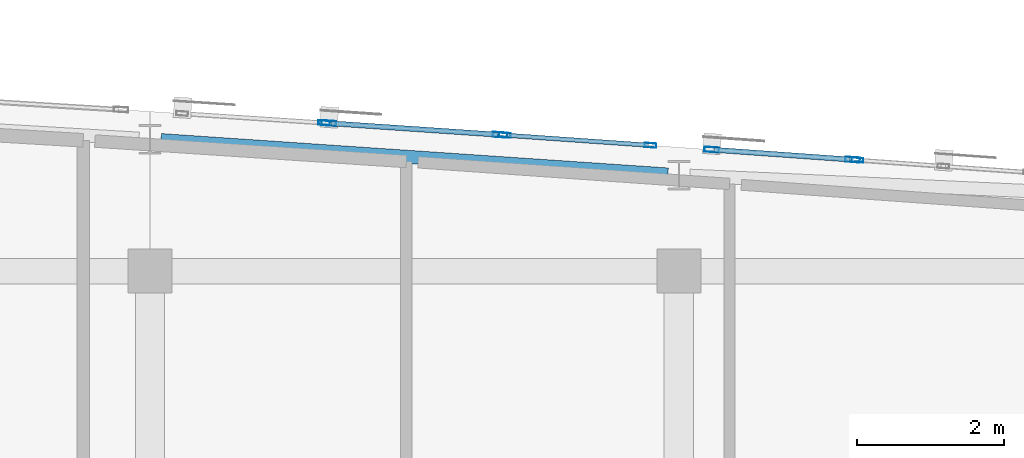
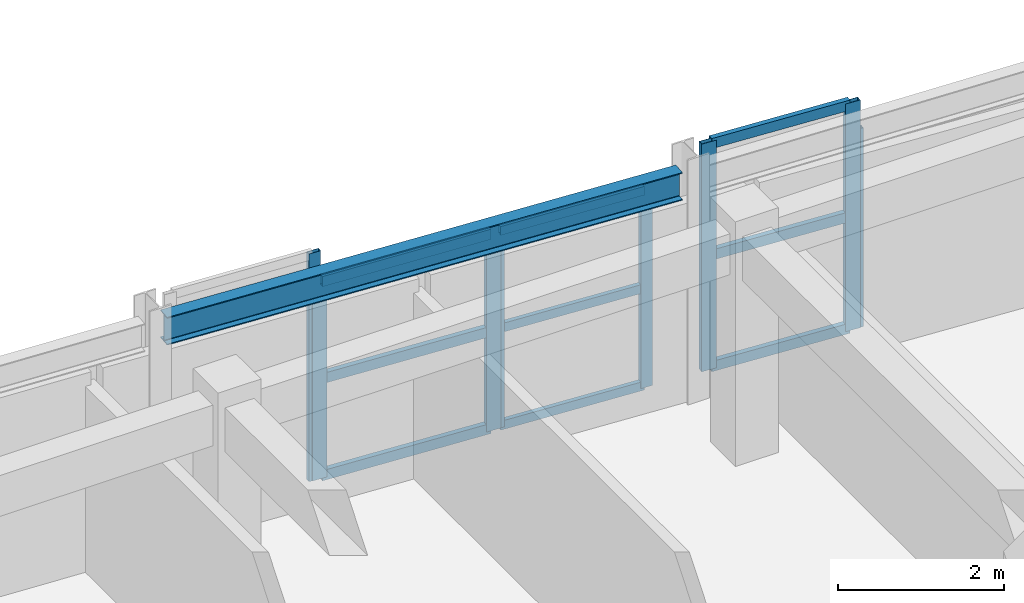
# One storey, part 24 of 48: 17 members, 1 beam, 5 elements without a shape of their own.
"""IFC4 building model written with IfcOpenShell, lengths in metres."""

from ifc_helpers import new_model, si_unit, direction, frame, origin, origin_2d, place, context, subcontext, project, spatial, hollow_rectangle, i_section, extrude, material, layer, layer_set, material_profile, profile_set, type_object, element, aggregate, save


model = new_model("IFC4")

# Units and contexts
model_context = context("Model", 3, precision=1e-05, world=origin(), true_north=direction((0.0, 1.0)))
body_context = subcontext(model_context, "Body", "Model", "MODEL_VIEW")
ifc_project = project(units=[si_unit("LENGTHUNIT", "METRE"), si_unit("AREAUNIT", "SQUARE_METRE"), si_unit("VOLUMEUNIT", "CUBIC_METRE"), si_unit("PLANEANGLEUNIT", "RADIAN"), si_unit("MASSUNIT", "GRAM", prefix="KILO")], contexts=[model_context])

# Site, building, storey
site_placement = place(None, origin())
site = spatial("IfcSite", under=ifc_project, at=site_placement, CompositionType="ELEMENT")
building_placement = place(site_placement, origin())
building = spatial("IfcBuilding", under=site, at=building_placement, Name="Carrowvane Square Congress Hotel", CompositionType="ELEMENT")
storey_placement = place(building_placement, frame((0.0, 0.0, 26.39990234375)))
storey = spatial("IfcBuildingStorey", under=building, at=storey_placement, Name="L06", CompositionType="ELEMENT", Elevation=26.39990234375)

# Beam
ifc_material_1 = material(Name="Steel S355", Category="steel")
ifc_material_profile_1 = material_profile(ifc_material_1, i_section(OverallWidth=0.1787109375, OverallDepth=0.409423828125, WebThickness=0.0087890625, FlangeThickness=0.014404296875, FilletRadius=0.01025390625, at=origin_2d()), Name="UKB 406x178x67")
ifc_profile_set_1 = profile_set([ifc_material_profile_1], Name="Steel S355")
beam_type = type_object("IfcBeamType", Name="BM-ST-UKB406", PredefinedType="BEAM", material=ifc_profile_set_1)
beam_placement = place(storey_placement, frame((126.94970703125, 115.18408203125, 3.1455078125), z_axis=(0.997707965639, -0.067666943928, 0.0), x_axis=(0.067666943928, 0.997707965639, 0.0)))
element("IfcBeam", 1, at=beam_placement, inside=storey, type_object=beam_type, Name="L07 curved north spandrel", PredefinedType="BEAM", context=body_context, shape_type="SweptSolid", body=[
    extrude(i_section(OverallWidth=0.1787109375, OverallDepth=0.409423828125, WebThickness=0.0087890625, FlangeThickness=0.014404296875, FilletRadius=0.01025390625, at=origin_2d()), origin(), (0.0, 0.0, 1.0), 6.91650390625),
])

# Curtain wall, member
ifc_material_2 = material(Name="Anodised aluminium", Category="aluminium")
ifc_layer_1 = layer(ifc_material_2, 0.18603515625)
ifc_layer_set_1 = layer_set([ifc_layer_1], Name="Anodised aluminium")
curtain_wall_type_1 = type_object("IfcCurtainWallType", Name="CW-SYS-3", PredefinedType="NOTDEFINED", material=ifc_layer_set_1)
curtain_wall_1_placement = place(storey_placement, origin())
curtain_wall_1 = element("IfcCurtainWall", 2, at=curtain_wall_1_placement, inside=storey, type_object=curtain_wall_type_1, Name="L06 unitised curtain wall 394", PredefinedType="NOTDEFINED")
ifc_material_3 = material(Name="Anodised aluminium", Category="aluminium")
ifc_material_profile_2 = material_profile(ifc_material_3, hollow_rectangle(XDim=0.06005859375, YDim=0.159912109375, WallThickness=0.00390625, at=origin_2d()), Name="CW-ML 60x160x4")
ifc_profile_set_2 = profile_set([ifc_material_profile_2], Name="Anodised aluminium")
member_type_1 = type_object("IfcMemberType", Name="CW-MUL-1", PredefinedType="MULLION", material=ifc_profile_set_2)
member_1_placement = place(storey_placement, frame((129.170166015625, 115.4189453125, 0.0), z_axis=(0.0, 0.0, 1.0), x_axis=(0.065413941589, 0.9978582145, 0.0)))
member_1 = element("IfcMember", 3, at=member_1_placement, type_object=member_type_1, Name="CW-3 mullion 2", PredefinedType="MULLION", context=body_context, shape_type="SweptSolid", body=[
    extrude(hollow_rectangle(XDim=0.06005859375, YDim=0.159912109375, WallThickness=0.00390625, at=origin_2d()), origin(), (0.0, 0.0, 1.0), 3.35009765625),
])
aggregate(curtain_wall_1, [member_1])

# Curtain wall, members
ifc_material_4 = material(Name="Anodised aluminium", Category="aluminium")
ifc_layer_2 = layer(ifc_material_4, 0.2099609375)
ifc_layer_set_2 = layer_set([ifc_layer_2], Name="Anodised aluminium")
curtain_wall_type_2 = type_object("IfcCurtainWallType", Name="CW-SYS-5", PredefinedType="NOTDEFINED", material=ifc_layer_set_2)
curtain_wall_2_placement = place(storey_placement, origin())
curtain_wall_2 = element("IfcCurtainWall", 4, at=curtain_wall_2_placement, inside=storey, type_object=curtain_wall_type_2, Name="L06 unitised curtain wall 396", PredefinedType="NOTDEFINED")
member_2_placement = place(storey_placement, frame((131.6298828125, 115.251708984375, 0.0), z_axis=(0.0, 0.0, 1.0), x_axis=(0.069726879118, 0.997566119277, 0.0)))
member_2 = element("IfcMember", 5, at=member_2_placement, type_object=member_type_1, Name="CW-5 mullion 1", PredefinedType="MULLION", context=body_context, shape_type="SweptSolid", body=[
    extrude(hollow_rectangle(XDim=0.06005859375, YDim=0.159912109375, WallThickness=0.00390625, at=origin_2d()), origin(), (0.0, 0.0, 1.0), 2.92578125),
])
member_3_placement = place(storey_placement, frame((133.61279296875, 115.113037109375, 0.0), z_axis=(0.0, 0.0, 1.0), x_axis=(0.069726879118, 0.997566119277, 0.0)))
member_3 = element("IfcMember", 6, at=member_3_placement, type_object=member_type_1, Name="CW-5 mullion 2", PredefinedType="MULLION", context=body_context, shape_type="SweptSolid", body=[
    extrude(hollow_rectangle(XDim=0.06005859375, YDim=0.159912109375, WallThickness=0.00390625, at=origin_2d()), origin(), (0.0, 0.0, 1.0), 2.92578125),
])

# Curtain wall, member
ifc_material_5 = material(Name="Anodised aluminium", Category="aluminium")
ifc_layer_3 = layer(ifc_material_5, 0.23388671875)
ifc_layer_set_3 = layer_set([ifc_layer_3], Name="Anodised aluminium")
curtain_wall_type_3 = type_object("IfcCurtainWallType", Name="CW-SYS-7", PredefinedType="NOTDEFINED", material=ifc_layer_set_3)
curtain_wall_3_placement = place(storey_placement, origin())
curtain_wall_3 = element("IfcCurtainWall", 7, at=curtain_wall_3_placement, inside=storey, type_object=curtain_wall_type_3, Name="L06 unitised curtain wall 398", PredefinedType="NOTDEFINED")
member_4_placement = place(storey_placement, frame((136.429931640625, 114.9130859375, 0.0), z_axis=(0.0, 0.0, 1.0), x_axis=(0.071531759512, 0.997438322595, 0.0)))
member_4 = element("IfcMember", 8, at=member_4_placement, type_object=member_type_1, Name="CW-7 mullion 1", PredefinedType="MULLION", context=body_context, shape_type="SweptSolid", body=[
    extrude(hollow_rectangle(XDim=0.06005859375, YDim=0.159912109375, WallThickness=0.00390625, at=origin_2d()), origin(), (0.0, 0.0, 1.0), 2.92578125),
])
aggregate(curtain_wall_3, [member_4])

# Curtain wall, members
ifc_material_6 = material(Name="Anodised aluminium", Category="aluminium")
ifc_layer_4 = layer(ifc_material_6, 0.197998046875)
ifc_layer_set_4 = layer_set([ifc_layer_4], Name="Anodised aluminium")
curtain_wall_type_4 = type_object("IfcCurtainWallType", Name="CW-SYS-4", PredefinedType="NOTDEFINED", material=ifc_layer_set_4)
curtain_wall_4_placement = place(storey_placement, origin())
curtain_wall_4 = element("IfcCurtainWall", 9, at=curtain_wall_4_placement, inside=storey, type_object=curtain_wall_type_4, Name="L06 unitised curtain wall 395", PredefinedType="NOTDEFINED")
ifc_material_7 = material(Name="Anodised aluminium", Category="aluminium")
ifc_material_profile_3 = material_profile(ifc_material_7, hollow_rectangle(XDim=0.070068359375, YDim=0.199951171875, WallThickness=0.0048828125, at=origin_2d()), Name="CW-ML 70x200x5")
ifc_profile_set_3 = profile_set([ifc_material_profile_3], Name="Anodised aluminium")
member_type_2 = type_object("IfcMemberType", Name="CW-MUL-2", PredefinedType="MULLION", material=ifc_profile_set_3)
member_5_placement = place(storey_placement, frame((129.23486328125, 115.41455078125, 0.0), z_axis=(0.0, 0.0, 1.0), x_axis=(0.067869562107, 0.99769420292, 0.0)))
member_5 = element("IfcMember", 10, at=member_5_placement, type_object=member_type_2, Name="CW-4 mullion 1", PredefinedType="MULLION", context=body_context, shape_type="SweptSolid", body=[
    extrude(hollow_rectangle(XDim=0.070068359375, YDim=0.199951171875, WallThickness=0.0048828125, at=origin_2d()), origin(), (0.0, 0.0, 1.0), 2.92578125),
])
member_6_placement = place(storey_placement, frame((131.56494140625, 115.256103515625, 0.0), z_axis=(0.0, 0.0, 1.0), x_axis=(0.067869562107, 0.99769420292, 0.0)))
member_6 = element("IfcMember", 11, at=member_6_placement, type_object=member_type_2, Name="CW-4 mullion 2", PredefinedType="MULLION", context=body_context, shape_type="SweptSolid", body=[
    extrude(hollow_rectangle(XDim=0.070068359375, YDim=0.199951171875, WallThickness=0.0048828125, at=origin_2d()), origin(), (0.0, 0.0, 1.0), 2.92578125),
])

ifc_material_8 = material(Name="Anodised aluminium", Category="aluminium")
ifc_layer_5 = layer(ifc_material_8, 0.221923828125)
ifc_layer_set_5 = layer_set([ifc_layer_5], Name="Anodised aluminium")
curtain_wall_type_5 = type_object("IfcCurtainWallType", Name="CW-SYS-6", PredefinedType="NOTDEFINED", material=ifc_layer_set_5)
curtain_wall_5_placement = place(storey_placement, origin())
curtain_wall_5 = element("IfcCurtainWall", 12, at=curtain_wall_5_placement, inside=storey, type_object=curtain_wall_type_5, Name="L06 unitised curtain wall 397", PredefinedType="NOTDEFINED")
member_7_placement = place(storey_placement, frame((134.445556640625, 115.05419921875, 0.0), z_axis=(0.0, 0.0, 1.0), x_axis=(0.070959862453, 0.997479171673, 0.0)))
member_7 = element("IfcMember", 13, at=member_7_placement, type_object=member_type_2, Name="CW-6 mullion 1", PredefinedType="MULLION", context=body_context, shape_type="SweptSolid", body=[
    extrude(hollow_rectangle(XDim=0.070068359375, YDim=0.199951171875, WallThickness=0.0048828125, at=origin_2d()), origin(), (0.0, 0.0, 1.0), 3.35009765625),
])
member_8_placement = place(storey_placement, frame((136.365234375, 114.917724609375, 0.0), z_axis=(0.0, 0.0, 1.0), x_axis=(0.070959862453, 0.997479171673, 0.0)))
member_8 = element("IfcMember", 14, at=member_8_placement, type_object=member_type_2, Name="CW-6 mullion 2", PredefinedType="MULLION", context=body_context, shape_type="SweptSolid", body=[
    extrude(hollow_rectangle(XDim=0.070068359375, YDim=0.199951171875, WallThickness=0.0048828125, at=origin_2d()), origin(), (0.0, 0.0, 1.0), 3.35009765625),
])

# Member
ifc_material_9 = material(Name="Anodised aluminium", Category="aluminium")
ifc_material_profile_4 = material_profile(ifc_material_9, hollow_rectangle(XDim=0.06005859375, YDim=0.1298828125, WallThickness=0.00390625, at=origin_2d()), Name="CW-TR 60x130x4")
ifc_profile_set_4 = profile_set([ifc_material_profile_4], Name="Anodised aluminium")
member_type_3 = type_object("IfcMemberType", Name="CW-TRN-1", PredefinedType="USERDEFINED", material=ifc_profile_set_4)
member_9_placement = place(storey_placement, frame((131.659912109375, 115.24951171875, 0.030029296875), z_axis=(0.997570599543, -0.069662751365, 0.0), x_axis=(0.069662751365, 0.997570599543, 0.0)))
member_9 = element("IfcMember", 15, at=member_9_placement, type_object=member_type_3, Name="CW-5 transom 1.1", ObjectType="TRANSOM", PredefinedType="USERDEFINED", context=body_context, shape_type="SweptSolid", body=[
    extrude(hollow_rectangle(XDim=0.06005859375, YDim=0.1298828125, WallThickness=0.00390625, at=origin_2d()), origin(), (0.0, 0.0, 1.0), 1.927490234375),
])

member_10_placement = place(storey_placement, frame((131.659912109375, 115.24951171875, 1.462890625), z_axis=(0.997570599543, -0.069662751365, 0.0), x_axis=(0.069662751365, 0.997570599543, 0.0)))
member_10 = element("IfcMember", 16, at=member_10_placement, type_object=member_type_3, Name="CW-5 transom 1.2", ObjectType="TRANSOM", PredefinedType="USERDEFINED", context=body_context, shape_type="SweptSolid", body=[
    extrude(hollow_rectangle(XDim=0.06005859375, YDim=0.1298828125, WallThickness=0.00390625, at=origin_2d()), origin(), (0.0, 0.0, 1.0), 1.927490234375),
])

member_11_placement = place(storey_placement, frame((131.659912109375, 115.24951171875, 2.895751953125), z_axis=(0.997570599543, -0.069662751365, 0.0), x_axis=(0.069662751365, 0.997570599543, 0.0)))
member_11 = element("IfcMember", 17, at=member_11_placement, type_object=member_type_3, Name="CW-5 transom 1.3", ObjectType="TRANSOM", PredefinedType="USERDEFINED", context=body_context, shape_type="SweptSolid", body=[
    extrude(hollow_rectangle(XDim=0.06005859375, YDim=0.1298828125, WallThickness=0.00390625, at=origin_2d()), origin(), (0.0, 0.0, 1.0), 1.927490234375),
])

aggregate(curtain_wall_2, [member_2, member_3, member_9, member_10, member_11])

ifc_material_10 = material(Name="Anodised aluminium", Category="aluminium")
ifc_material_profile_5 = material_profile(ifc_material_10, hollow_rectangle(XDim=0.070068359375, YDim=0.14990234375, WallThickness=0.0048828125, at=origin_2d()), Name="CW-TR 70x150x5")
ifc_profile_set_5 = profile_set([ifc_material_profile_5], Name="Anodised aluminium")
member_type_4 = type_object("IfcMemberType", Name="CW-TRN-2", PredefinedType="USERDEFINED", material=ifc_profile_set_5)
member_12_placement = place(storey_placement, frame((129.269775390625, 115.412109375, 0.03515625), z_axis=(0.997699953678, -0.067784972009, 0.0), x_axis=(0.067784972009, 0.997699953678, 0.0)))
member_12 = element("IfcMember", 18, at=member_12_placement, type_object=member_type_4, Name="CW-4 transom 1.1", ObjectType="TRANSOM", PredefinedType="USERDEFINED", context=body_context, shape_type="SweptSolid", body=[
    extrude(hollow_rectangle(XDim=0.070068359375, YDim=0.14990234375, WallThickness=0.0048828125, at=origin_2d()), origin(), (0.0, 0.0, 1.0), 2.265380859375),
])

member_13_placement = place(storey_placement, frame((129.269775390625, 115.412109375, 1.462890625), z_axis=(0.997699953678, -0.067784972009, 0.0), x_axis=(0.067784972009, 0.997699953678, 0.0)))
member_13 = element("IfcMember", 19, at=member_13_placement, type_object=member_type_4, Name="CW-4 transom 1.2", ObjectType="TRANSOM", PredefinedType="USERDEFINED", context=body_context, shape_type="SweptSolid", body=[
    extrude(hollow_rectangle(XDim=0.070068359375, YDim=0.14990234375, WallThickness=0.0048828125, at=origin_2d()), origin(), (0.0, 0.0, 1.0), 2.265380859375),
])

member_14_placement = place(storey_placement, frame((129.269775390625, 115.412109375, 2.890625), z_axis=(0.997699953678, -0.067784972009, 0.0), x_axis=(0.067784972009, 0.997699953678, 0.0)))
member_14 = element("IfcMember", 20, at=member_14_placement, type_object=member_type_4, Name="CW-4 transom 1.3", ObjectType="TRANSOM", PredefinedType="USERDEFINED", context=body_context, shape_type="SweptSolid", body=[
    extrude(hollow_rectangle(XDim=0.070068359375, YDim=0.14990234375, WallThickness=0.0048828125, at=origin_2d()), origin(), (0.0, 0.0, 1.0), 2.265380859375),
])

aggregate(curtain_wall_4, [member_5, member_6, member_12, member_13, member_14])

member_15_placement = place(storey_placement, frame((134.48046875, 115.0517578125, 0.03515625), z_axis=(0.997479373486, -0.070957025513, 0.0), x_axis=(0.070957025513, 0.997479373486, 0.0)))
member_15 = element("IfcMember", 21, at=member_15_placement, type_object=member_type_4, Name="CW-6 transom 1.1", ObjectType="TRANSOM", PredefinedType="USERDEFINED", context=body_context, shape_type="SweptSolid", body=[
    extrude(hollow_rectangle(XDim=0.070068359375, YDim=0.14990234375, WallThickness=0.0048828125, at=origin_2d()), origin(), (0.0, 0.0, 1.0), 1.8544921875),
])

member_16_placement = place(storey_placement, frame((134.48046875, 115.0517578125, 1.675048828125), z_axis=(0.997479373486, -0.070957025513, 0.0), x_axis=(0.070957025513, 0.997479373486, 0.0)))
member_16 = element("IfcMember", 22, at=member_16_placement, type_object=member_type_4, Name="CW-6 transom 1.2", ObjectType="TRANSOM", PredefinedType="USERDEFINED", context=body_context, shape_type="SweptSolid", body=[
    extrude(hollow_rectangle(XDim=0.070068359375, YDim=0.14990234375, WallThickness=0.0048828125, at=origin_2d()), origin(), (0.0, 0.0, 1.0), 1.8544921875),
])

member_17_placement = place(storey_placement, frame((134.48046875, 115.0517578125, 3.315185546875), z_axis=(0.997479373486, -0.070957025513, 0.0), x_axis=(0.070957025513, 0.997479373486, 0.0)))
member_17 = element("IfcMember", 23, at=member_17_placement, type_object=member_type_4, Name="CW-6 transom 1.3", ObjectType="TRANSOM", PredefinedType="USERDEFINED", context=body_context, shape_type="SweptSolid", body=[
    extrude(hollow_rectangle(XDim=0.070068359375, YDim=0.14990234375, WallThickness=0.0048828125, at=origin_2d()), origin(), (0.0, 0.0, 1.0), 1.8544921875),
])

aggregate(curtain_wall_5, [member_7, member_8, member_15, member_16, member_17])

save(model, "model.ifc")
